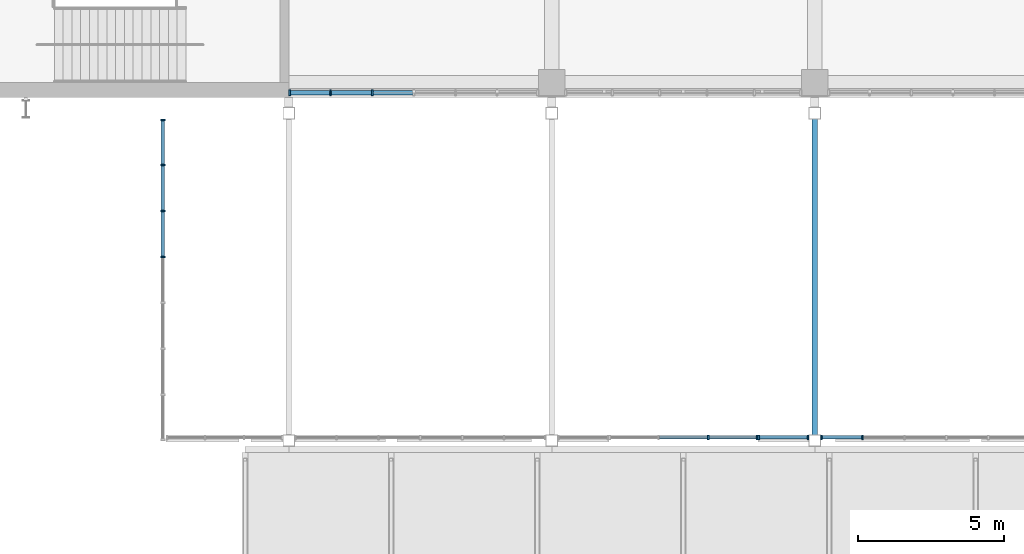
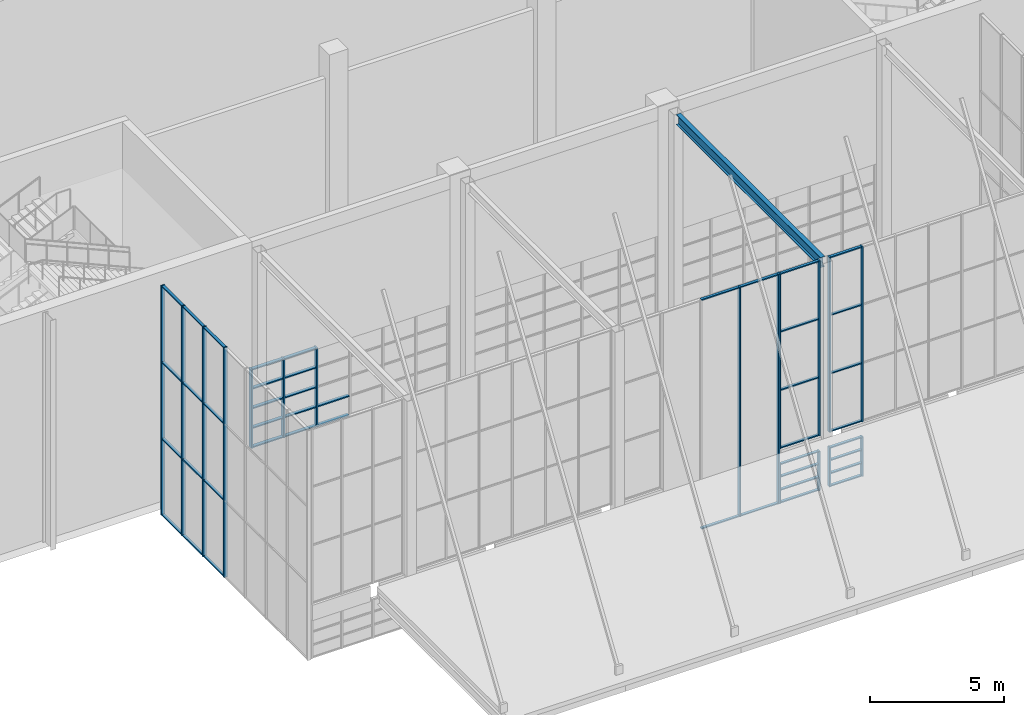
# One storey, part 19 of 182: 61 members, 1 beam, 7 elements without a shape of their own.
"""IFC4 building model written with IfcOpenShell, lengths in metres."""

from ifc_helpers import new_model, si_unit, direction, frame, origin, origin_2d, place, context, subcontext, project, spatial, rectangle, i_section, extrude, material, material_profile, profile_set, type_object, element, aggregate, save


model = new_model("IFC4")

# Units and contexts
model_context = context("Model", 3, precision=1e-05, world=origin(), true_north=direction((0.0, 1.0)))
body_context = subcontext(model_context, "Body", "Model", "MODEL_VIEW")
ifc_project = project(units=[si_unit("LENGTHUNIT", "METRE"), si_unit("AREAUNIT", "SQUARE_METRE"), si_unit("VOLUMEUNIT", "CUBIC_METRE"), si_unit("PLANEANGLEUNIT", "RADIAN"), si_unit("MASSUNIT", "GRAM", prefix="KILO")], contexts=[model_context])

# Site, building, storey
site_placement = place(None, origin())
site = spatial("IfcSite", under=ifc_project, at=site_placement, CompositionType="ELEMENT")
building_placement = place(site_placement, origin())
building = spatial("IfcBuilding", under=site, at=building_placement, Name="Silverbay Arena", CompositionType="ELEMENT")
storey_placement = place(building_placement, frame((0.0, 0.0, 11.5)))
storey = spatial("IfcBuildingStorey", under=building, at=storey_placement, Name="L02", CompositionType="ELEMENT", Elevation=11.5)

# Beam
ifc_material_1 = material(Name="Steel S355", Category="steel")
ifc_material_profile_1 = material_profile(ifc_material_1, i_section(OverallWidth=0.19287109375, OverallDepth=0.46728515625, WebThickness=0.011474609375, FlangeThickness=0.01953125, at=origin_2d()), Name="UB 457x191x98")
ifc_profile_set_1 = profile_set([ifc_material_profile_1], Name="Steel S355")
beam_type = type_object("IfcBeamType", Name="Hall beam UB 457x191x98", PredefinedType="BEAM", material=ifc_profile_set_1)
beam_placement = place(storey_placement, frame((135.0, 16.75, 10.266357421875), z_axis=(0.0, -1.0, 0.0), x_axis=(1.0, 0.0, 0.0)))
element("IfcBeam", 1, at=beam_placement, inside=storey, type_object=beam_type, Name="South entrance hall S1 transverse beam 3L22", PredefinedType="BEAM", context=body_context, shape_type="SweptSolid", body=[
    extrude(i_section(OverallWidth=0.19287109375, OverallDepth=0.46728515625, WebThickness=0.011474609375, FlangeThickness=0.01953125, at=origin_2d()), origin(), (0.0, 0.0, 1.0), 10.800048828125),
])

# Curtain wall, members
ifc_material_2 = material(Name="Aluminium framed curtain wall", Category="aluminium")
curtain_wall_type_1 = type_object("IfcCurtainWallType", Name="Curtain wall 1750 x 1800", PredefinedType="NOTDEFINED", material=ifc_material_2)
curtain_wall_1_placement = place(storey_placement, origin())
curtain_wall_1 = element("IfcCurtainWall", 2, at=curtain_wall_1_placement, inside=storey, type_object=curtain_wall_type_1, Name="South entrance hall S1 glazing F1b", PredefinedType="NOTDEFINED")
ifc_material_3 = material(Name="Aluminium", Category="aluminium")
ifc_material_profile_2 = material_profile(ifc_material_3, rectangle(XDim=0.159912109375, YDim=0.06005859375, at=origin_2d()), Name="Mullion 60 x 160")
ifc_profile_set_2 = profile_set([ifc_material_profile_2], Name="Aluminium")
member_type_1 = type_object("IfcMemberType", Name="Mullion 60 x 160", PredefinedType="MULLION", material=ifc_profile_set_2)
member_1_placement = place(storey_placement, frame((133.080078125, 5.860107421875, 0.0), z_axis=(0.0, 0.0, 1.0), x_axis=(0.0, 1.0, 0.0)))
member_1 = element("IfcMember", 3, at=member_1_placement, type_object=member_type_1, Name="CW29 mullion 1", PredefinedType="MULLION", context=body_context, shape_type="SweptSolid", body=[
    extrude(rectangle(XDim=0.159912109375, YDim=0.06005859375, at=origin_2d()), origin(), (0.0, 0.0, 1.0), 1.800048828125),
])
member_2_placement = place(storey_placement, frame((134.77001953125, 5.860107421875, 0.0), z_axis=(0.0, 0.0, 1.0), x_axis=(0.0, 1.0, 0.0)))
member_2 = element("IfcMember", 4, at=member_2_placement, type_object=member_type_1, Name="CW29 mullion 2", PredefinedType="MULLION", context=body_context, shape_type="SweptSolid", body=[
    extrude(rectangle(XDim=0.159912109375, YDim=0.06005859375, at=origin_2d()), origin(), (0.0, 0.0, 1.0), 1.800048828125),
])

ifc_material_4 = material(Name="Aluminium framed curtain wall", Category="aluminium")
curtain_wall_type_2 = type_object("IfcCurtainWallType", Name="Curtain wall 1750 x 8000", PredefinedType="NOTDEFINED", material=ifc_material_4)
curtain_wall_2_placement = place(storey_placement, origin())
curtain_wall_2 = element("IfcCurtainWall", 5, at=curtain_wall_2_placement, inside=storey, type_object=curtain_wall_type_2, Name="South entrance hall S1 glazing F1b", PredefinedType="NOTDEFINED")
member_3_placement = place(storey_placement, frame((133.080078125, 5.860107421875, 2.5), z_axis=(0.0, 0.0, 1.0), x_axis=(0.0, 1.0, 0.0)))
member_3 = element("IfcMember", 6, at=member_3_placement, type_object=member_type_1, Name="CW30 mullion 1", PredefinedType="MULLION", context=body_context, shape_type="SweptSolid", body=[
    extrude(rectangle(XDim=0.159912109375, YDim=0.06005859375, at=origin_2d()), origin(), (0.0, 0.0, 1.0), 8.0),
])
member_4_placement = place(storey_placement, frame((134.77001953125, 5.860107421875, 2.5), z_axis=(0.0, 0.0, 1.0), x_axis=(0.0, 1.0, 0.0)))
member_4 = element("IfcMember", 7, at=member_4_placement, type_object=member_type_1, Name="CW30 mullion 2", PredefinedType="MULLION", context=body_context, shape_type="SweptSolid", body=[
    extrude(rectangle(XDim=0.159912109375, YDim=0.06005859375, at=origin_2d()), origin(), (0.0, 0.0, 1.0), 8.0),
])

ifc_material_5 = material(Name="Aluminium framed curtain wall", Category="aluminium")
curtain_wall_type_3 = type_object("IfcCurtainWallType", Name="Curtain wall 8600 x 1800", PredefinedType="NOTDEFINED", material=ifc_material_5)
curtain_wall_3_placement = place(storey_placement, origin())
curtain_wall_3 = element("IfcCurtainWall", 8, at=curtain_wall_3_placement, inside=storey, type_object=curtain_wall_type_3, Name="South entrance hall S1 glazing F2", PredefinedType="NOTDEFINED")
member_5_placement = place(storey_placement, frame((135.22998046875, 5.860107421875, 0.0), z_axis=(0.0, 0.0, 1.0), x_axis=(0.0, 1.0, 0.0)))
member_5 = element("IfcMember", 9, at=member_5_placement, type_object=member_type_1, Name="CW25 mullion 1", PredefinedType="MULLION", context=body_context, shape_type="SweptSolid", body=[
    extrude(rectangle(XDim=0.159912109375, YDim=0.06005859375, at=origin_2d()), origin(), (0.0, 0.0, 1.0), 1.800048828125),
])
member_6_placement = place(storey_placement, frame((136.63330078125, 5.860107421875, 0.0), z_axis=(0.0, 0.0, 1.0), x_axis=(0.0, 1.0, 0.0)))
member_6 = element("IfcMember", 10, at=member_6_placement, type_object=member_type_1, Name="CW25 mullion 2", PredefinedType="MULLION", context=body_context, shape_type="SweptSolid", body=[
    extrude(rectangle(XDim=0.159912109375, YDim=0.06005859375, at=origin_2d()), origin(), (0.0, 0.0, 1.0), 1.800048828125),
])

ifc_material_6 = material(Name="Aluminium framed curtain wall", Category="aluminium")
curtain_wall_type_4 = type_object("IfcCurtainWallType", Name="Curtain wall 8600 x 8000", PredefinedType="NOTDEFINED", material=ifc_material_6)
curtain_wall_4_placement = place(storey_placement, origin())
curtain_wall_4 = element("IfcCurtainWall", 11, at=curtain_wall_4_placement, inside=storey, type_object=curtain_wall_type_4, Name="South entrance hall S1 glazing F2", PredefinedType="NOTDEFINED")
member_7_placement = place(storey_placement, frame((135.22998046875, 5.860107421875, 2.5), z_axis=(0.0, 0.0, 1.0), x_axis=(0.0, 1.0, 0.0)))
member_7 = element("IfcMember", 12, at=member_7_placement, type_object=member_type_1, Name="CW26 mullion 1", PredefinedType="MULLION", context=body_context, shape_type="SweptSolid", body=[
    extrude(rectangle(XDim=0.159912109375, YDim=0.06005859375, at=origin_2d()), origin(), (0.0, 0.0, 1.0), 8.0),
])
member_8_placement = place(storey_placement, frame((136.63330078125, 5.860107421875, 2.5), z_axis=(0.0, 0.0, 1.0), x_axis=(0.0, 1.0, 0.0)))
member_8 = element("IfcMember", 13, at=member_8_placement, type_object=member_type_1, Name="CW26 mullion 2", PredefinedType="MULLION", context=body_context, shape_type="SweptSolid", body=[
    extrude(rectangle(XDim=0.159912109375, YDim=0.06005859375, at=origin_2d()), origin(), (0.0, 0.0, 1.0), 8.0),
])

ifc_material_7 = material(Name="Aluminium framed curtain wall", Category="aluminium")
curtain_wall_type_5 = type_object("IfcCurtainWallType", Name="Curtain wall 11000 x 10500", PredefinedType="NOTDEFINED", material=ifc_material_7)
curtain_wall_5_placement = place(storey_placement, origin())
curtain_wall_5 = element("IfcCurtainWall", 14, at=curtain_wall_5_placement, inside=storey, type_object=curtain_wall_type_5, Name="South entrance hall S1 glazing SA", PredefinedType="NOTDEFINED")
member_9_placement = place(storey_placement, frame((112.68994140625, 12.03564453125, 0.0), z_axis=(0.0, 0.0, 1.0), x_axis=(-1.0, 0.0, 0.0)))
member_9 = element("IfcMember", 15, at=member_9_placement, type_object=member_type_1, Name="CW37 mullion 5", PredefinedType="MULLION", context=body_context, shape_type="SweptSolid", body=[
    extrude(rectangle(XDim=0.159912109375, YDim=0.06005859375, at=origin_2d()), origin(), (0.0, 0.0, 1.0), 10.5),
])
member_10_placement = place(storey_placement, frame((112.68994140625, 13.607177734375, 0.0), z_axis=(0.0, 0.0, 1.0), x_axis=(-1.0, 0.0, 0.0)))
member_10 = element("IfcMember", 16, at=member_10_placement, type_object=member_type_1, Name="CW37 mullion 6", PredefinedType="MULLION", context=body_context, shape_type="SweptSolid", body=[
    extrude(rectangle(XDim=0.159912109375, YDim=0.06005859375, at=origin_2d()), origin(), (0.0, 0.0, 1.0), 10.5),
])
member_11_placement = place(storey_placement, frame((112.68994140625, 15.178466796875, 0.0), z_axis=(0.0, 0.0, 1.0), x_axis=(-1.0, 0.0, 0.0)))
member_11 = element("IfcMember", 17, at=member_11_placement, type_object=member_type_1, Name="CW37 mullion 7", PredefinedType="MULLION", context=body_context, shape_type="SweptSolid", body=[
    extrude(rectangle(XDim=0.159912109375, YDim=0.06005859375, at=origin_2d()), origin(), (0.0, 0.0, 1.0), 10.5),
])
member_12_placement = place(storey_placement, frame((112.68994140625, 16.719970703125, 0.0), z_axis=(0.0, 0.0, 1.0), x_axis=(-1.0, 0.0, 0.0)))
member_12 = element("IfcMember", 18, at=member_12_placement, type_object=member_type_1, Name="CW37 mullion 8", PredefinedType="MULLION", context=body_context, shape_type="SweptSolid", body=[
    extrude(rectangle(XDim=0.159912109375, YDim=0.06005859375, at=origin_2d()), origin(), (0.0, 0.0, 1.0), 10.5),
])

ifc_material_8 = material(Name="Aluminium framed curtain wall", Category="aluminium")
curtain_wall_type_6 = type_object("IfcCurtainWallType", Name="Curtain wall 5100 x 10500", PredefinedType="NOTDEFINED", material=ifc_material_8)
curtain_wall_6_placement = place(storey_placement, origin())
curtain_wall_6 = element("IfcCurtainWall", 19, at=curtain_wall_6_placement, inside=storey, type_object=curtain_wall_type_6, Name="South entrance hall S1 glazing over the door", PredefinedType="NOTDEFINED")
member_13_placement = place(storey_placement, frame((131.35009765625, 5.860107421875, 0.0), z_axis=(0.0, 0.0, 1.0), x_axis=(0.0, 1.0, 0.0)))
member_13 = element("IfcMember", 20, at=member_13_placement, type_object=member_type_1, Name="CW40 mullion 3", PredefinedType="MULLION", context=body_context, shape_type="SweptSolid", body=[
    extrude(rectangle(XDim=0.159912109375, YDim=0.06005859375, at=origin_2d()), origin(), (0.0, 0.0, 1.0), 10.5),
])
member_14_placement = place(storey_placement, frame((133.02001953125, 5.860107421875, 0.0), z_axis=(0.0, 0.0, 1.0), x_axis=(0.0, 1.0, 0.0)))
member_14 = element("IfcMember", 21, at=member_14_placement, type_object=member_type_1, Name="CW40 mullion 4", PredefinedType="MULLION", context=body_context, shape_type="SweptSolid", body=[
    extrude(rectangle(XDim=0.159912109375, YDim=0.06005859375, at=origin_2d()), origin(), (0.0, 0.0, 1.0), 10.5),
])

ifc_material_9 = material(Name="Aluminium framed curtain wall", Category="aluminium")
curtain_wall_type_7 = type_object("IfcCurtainWallType", Name="Curtain wall 8550 x 3600", PredefinedType="NOTDEFINED", material=ifc_material_9)
curtain_wall_7_placement = place(storey_placement, origin())
curtain_wall_7 = element("IfcCurtainWall", 22, at=curtain_wall_7_placement, inside=storey, type_object=curtain_wall_type_7, Name="South curtain wall L02 bay 8", PredefinedType="NOTDEFINED")
ifc_material_10 = material(Name="Aluminium", Category="aluminium")
ifc_material_profile_3 = material_profile(ifc_material_10, rectangle(XDim=0.199951171875, YDim=0.06005859375, at=origin_2d()), Name="Mullion 60 x 200")
ifc_profile_set_3 = profile_set([ifc_material_profile_3], Name="Aluminium")
member_type_2 = type_object("IfcMemberType", Name="Mullion 60 x 200", PredefinedType="MULLION", material=ifc_profile_set_3)
member_15_placement = place(storey_placement, frame((117.030029296875, 17.64990234375, 1.0), z_axis=(0.0, 0.0, 1.0), x_axis=(0.0, 1.0, 0.0)))
member_15 = element("IfcMember", 23, at=member_15_placement, type_object=member_type_2, Name="CW10 mullion 1", PredefinedType="MULLION", context=body_context, shape_type="SweptSolid", body=[
    extrude(rectangle(XDim=0.199951171875, YDim=0.06005859375, at=origin_2d()), origin(), (0.0, 0.0, 1.0), 3.60009765625),
])
member_16_placement = place(storey_placement, frame((118.425048828125, 17.64990234375, 1.0), z_axis=(0.0, 0.0, 1.0), x_axis=(0.0, 1.0, 0.0)))
member_16 = element("IfcMember", 24, at=member_16_placement, type_object=member_type_2, Name="CW10 mullion 2", PredefinedType="MULLION", context=body_context, shape_type="SweptSolid", body=[
    extrude(rectangle(XDim=0.199951171875, YDim=0.06005859375, at=origin_2d()), origin(), (0.0, 0.0, 1.0), 3.60009765625),
])
member_17_placement = place(storey_placement, frame((119.85009765625, 17.64990234375, 1.0), z_axis=(0.0, 0.0, 1.0), x_axis=(0.0, 1.0, 0.0)))
member_17 = element("IfcMember", 25, at=member_17_placement, type_object=member_type_2, Name="CW10 mullion 3", PredefinedType="MULLION", context=body_context, shape_type="SweptSolid", body=[
    extrude(rectangle(XDim=0.199951171875, YDim=0.06005859375, at=origin_2d()), origin(), (0.0, 0.0, 1.0), 3.60009765625),
])

# Member
ifc_material_11 = material(Name="Aluminium", Category="aluminium")
ifc_material_profile_4 = material_profile(ifc_material_11, rectangle(XDim=0.1201171875, YDim=0.050048828125, at=origin_2d()), Name="Transom 50 x 120")
ifc_profile_set_4 = profile_set([ifc_material_profile_4], Name="Aluminium")
member_type_3 = type_object("IfcMemberType", Name="Transom 50 x 120", PredefinedType="USERDEFINED", material=ifc_profile_set_4)
member_18_placement = place(storey_placement, frame((133.110107421875, 5.860107421875, 0.02490234375), z_axis=(1.0, 0.0, 0.0), x_axis=(0.0, 1.0, 0.0)))
member_18 = element("IfcMember", 26, at=member_18_placement, type_object=member_type_3, Name="CW29 transom 1.1", ObjectType="TRANSOM", PredefinedType="USERDEFINED", context=body_context, shape_type="SweptSolid", body=[
    extrude(rectangle(XDim=0.1201171875, YDim=0.050048828125, at=origin_2d()), origin(), (0.0, 0.0, 1.0), 1.6298828125),
])

member_19_placement = place(storey_placement, frame((133.110107421875, 5.860107421875, 0.60009765625), z_axis=(1.0, 0.0, 0.0), x_axis=(0.0, 1.0, 0.0)))
member_19 = element("IfcMember", 27, at=member_19_placement, type_object=member_type_3, Name="CW29 transom 1.2", ObjectType="TRANSOM", PredefinedType="USERDEFINED", context=body_context, shape_type="SweptSolid", body=[
    extrude(rectangle(XDim=0.1201171875, YDim=0.050048828125, at=origin_2d()), origin(), (0.0, 0.0, 1.0), 1.6298828125),
])

member_20_placement = place(storey_placement, frame((133.110107421875, 5.860107421875, 1.199951171875), z_axis=(1.0, 0.0, 0.0), x_axis=(0.0, 1.0, 0.0)))
member_20 = element("IfcMember", 28, at=member_20_placement, type_object=member_type_3, Name="CW29 transom 1.3", ObjectType="TRANSOM", PredefinedType="USERDEFINED", context=body_context, shape_type="SweptSolid", body=[
    extrude(rectangle(XDim=0.1201171875, YDim=0.050048828125, at=origin_2d()), origin(), (0.0, 0.0, 1.0), 1.6298828125),
])

member_21_placement = place(storey_placement, frame((133.110107421875, 5.860107421875, 1.77490234375), z_axis=(1.0, 0.0, 0.0), x_axis=(0.0, 1.0, 0.0)))
member_21 = element("IfcMember", 29, at=member_21_placement, type_object=member_type_3, Name="CW29 transom 1.4", ObjectType="TRANSOM", PredefinedType="USERDEFINED", context=body_context, shape_type="SweptSolid", body=[
    extrude(rectangle(XDim=0.1201171875, YDim=0.050048828125, at=origin_2d()), origin(), (0.0, 0.0, 1.0), 1.6298828125),
])

aggregate(curtain_wall_1, [member_1, member_2, member_18, member_19, member_20, member_21])

member_22_placement = place(storey_placement, frame((133.110107421875, 5.860107421875, 2.52490234375), z_axis=(1.0, 0.0, 0.0), x_axis=(0.0, 1.0, 0.0)))
member_22 = element("IfcMember", 30, at=member_22_placement, type_object=member_type_3, Name="CW30 transom 1.1", ObjectType="TRANSOM", PredefinedType="USERDEFINED", context=body_context, shape_type="SweptSolid", body=[
    extrude(rectangle(XDim=0.1201171875, YDim=0.050048828125, at=origin_2d()), origin(), (0.0, 0.0, 1.0), 1.6298828125),
])

member_23_placement = place(storey_placement, frame((133.110107421875, 5.860107421875, 5.166748046875), z_axis=(1.0, 0.0, 0.0), x_axis=(0.0, 1.0, 0.0)))
member_23 = element("IfcMember", 31, at=member_23_placement, type_object=member_type_3, Name="CW30 transom 1.2", ObjectType="TRANSOM", PredefinedType="USERDEFINED", context=body_context, shape_type="SweptSolid", body=[
    extrude(rectangle(XDim=0.1201171875, YDim=0.050048828125, at=origin_2d()), origin(), (0.0, 0.0, 1.0), 1.6298828125),
])

member_24_placement = place(storey_placement, frame((133.110107421875, 5.860107421875, 7.833251953125), z_axis=(1.0, 0.0, 0.0), x_axis=(0.0, 1.0, 0.0)))
member_24 = element("IfcMember", 32, at=member_24_placement, type_object=member_type_3, Name="CW30 transom 1.3", ObjectType="TRANSOM", PredefinedType="USERDEFINED", context=body_context, shape_type="SweptSolid", body=[
    extrude(rectangle(XDim=0.1201171875, YDim=0.050048828125, at=origin_2d()), origin(), (0.0, 0.0, 1.0), 1.6298828125),
])

member_25_placement = place(storey_placement, frame((133.110107421875, 5.860107421875, 10.47509765625), z_axis=(1.0, 0.0, 0.0), x_axis=(0.0, 1.0, 0.0)))
member_25 = element("IfcMember", 33, at=member_25_placement, type_object=member_type_3, Name="CW30 transom 1.4", ObjectType="TRANSOM", PredefinedType="USERDEFINED", context=body_context, shape_type="SweptSolid", body=[
    extrude(rectangle(XDim=0.1201171875, YDim=0.050048828125, at=origin_2d()), origin(), (0.0, 0.0, 1.0), 1.6298828125),
])

aggregate(curtain_wall_2, [member_3, member_4, member_22, member_23, member_24, member_25])

member_26_placement = place(storey_placement, frame((135.260009765625, 5.860107421875, 0.02490234375), z_axis=(1.0, 0.0, 0.0), x_axis=(0.0, 1.0, 0.0)))
member_26 = element("IfcMember", 34, at=member_26_placement, type_object=member_type_3, Name="CW25 transom 1.1", ObjectType="TRANSOM", PredefinedType="USERDEFINED", context=body_context, shape_type="SweptSolid", body=[
    extrude(rectangle(XDim=0.1201171875, YDim=0.050048828125, at=origin_2d()), origin(), (0.0, 0.0, 1.0), 1.34326171875),
])

member_27_placement = place(storey_placement, frame((135.260009765625, 5.860107421875, 0.60009765625), z_axis=(1.0, 0.0, 0.0), x_axis=(0.0, 1.0, 0.0)))
member_27 = element("IfcMember", 35, at=member_27_placement, type_object=member_type_3, Name="CW25 transom 1.2", ObjectType="TRANSOM", PredefinedType="USERDEFINED", context=body_context, shape_type="SweptSolid", body=[
    extrude(rectangle(XDim=0.1201171875, YDim=0.050048828125, at=origin_2d()), origin(), (0.0, 0.0, 1.0), 1.34326171875),
])

member_28_placement = place(storey_placement, frame((135.260009765625, 5.860107421875, 1.199951171875), z_axis=(1.0, 0.0, 0.0), x_axis=(0.0, 1.0, 0.0)))
member_28 = element("IfcMember", 36, at=member_28_placement, type_object=member_type_3, Name="CW25 transom 1.3", ObjectType="TRANSOM", PredefinedType="USERDEFINED", context=body_context, shape_type="SweptSolid", body=[
    extrude(rectangle(XDim=0.1201171875, YDim=0.050048828125, at=origin_2d()), origin(), (0.0, 0.0, 1.0), 1.34326171875),
])

member_29_placement = place(storey_placement, frame((135.260009765625, 5.860107421875, 1.77490234375), z_axis=(1.0, 0.0, 0.0), x_axis=(0.0, 1.0, 0.0)))
member_29 = element("IfcMember", 37, at=member_29_placement, type_object=member_type_3, Name="CW25 transom 1.4", ObjectType="TRANSOM", PredefinedType="USERDEFINED", context=body_context, shape_type="SweptSolid", body=[
    extrude(rectangle(XDim=0.1201171875, YDim=0.050048828125, at=origin_2d()), origin(), (0.0, 0.0, 1.0), 1.34326171875),
])

aggregate(curtain_wall_3, [member_5, member_6, member_26, member_27, member_28, member_29])

member_30_placement = place(storey_placement, frame((135.260009765625, 5.860107421875, 2.52490234375), z_axis=(1.0, 0.0, 0.0), x_axis=(0.0, 1.0, 0.0)))
member_30 = element("IfcMember", 38, at=member_30_placement, type_object=member_type_3, Name="CW26 transom 1.1", ObjectType="TRANSOM", PredefinedType="USERDEFINED", context=body_context, shape_type="SweptSolid", body=[
    extrude(rectangle(XDim=0.1201171875, YDim=0.050048828125, at=origin_2d()), origin(), (0.0, 0.0, 1.0), 1.34326171875),
])

member_31_placement = place(storey_placement, frame((135.260009765625, 5.860107421875, 5.166748046875), z_axis=(1.0, 0.0, 0.0), x_axis=(0.0, 1.0, 0.0)))
member_31 = element("IfcMember", 39, at=member_31_placement, type_object=member_type_3, Name="CW26 transom 1.2", ObjectType="TRANSOM", PredefinedType="USERDEFINED", context=body_context, shape_type="SweptSolid", body=[
    extrude(rectangle(XDim=0.1201171875, YDim=0.050048828125, at=origin_2d()), origin(), (0.0, 0.0, 1.0), 1.34326171875),
])

member_32_placement = place(storey_placement, frame((135.260009765625, 5.860107421875, 7.833251953125), z_axis=(1.0, 0.0, 0.0), x_axis=(0.0, 1.0, 0.0)))
member_32 = element("IfcMember", 40, at=member_32_placement, type_object=member_type_3, Name="CW26 transom 1.3", ObjectType="TRANSOM", PredefinedType="USERDEFINED", context=body_context, shape_type="SweptSolid", body=[
    extrude(rectangle(XDim=0.1201171875, YDim=0.050048828125, at=origin_2d()), origin(), (0.0, 0.0, 1.0), 1.34326171875),
])

member_33_placement = place(storey_placement, frame((135.260009765625, 5.860107421875, 10.47509765625), z_axis=(1.0, 0.0, 0.0), x_axis=(0.0, 1.0, 0.0)))
member_33 = element("IfcMember", 41, at=member_33_placement, type_object=member_type_3, Name="CW26 transom 1.4", ObjectType="TRANSOM", PredefinedType="USERDEFINED", context=body_context, shape_type="SweptSolid", body=[
    extrude(rectangle(XDim=0.1201171875, YDim=0.050048828125, at=origin_2d()), origin(), (0.0, 0.0, 1.0), 1.34326171875),
])

aggregate(curtain_wall_4, [member_7, member_8, member_30, member_31, member_32, member_33])

member_34_placement = place(storey_placement, frame((112.68994140625, 12.065673828125, 0.02490234375), z_axis=(0.0, 1.0, 0.0), x_axis=(-1.0, 0.0, 0.0)))
member_34 = element("IfcMember", 42, at=member_34_placement, type_object=member_type_3, Name="CW37 transom 5.1", ObjectType="TRANSOM", PredefinedType="USERDEFINED", context=body_context, shape_type="SweptSolid", body=[
    extrude(rectangle(XDim=0.1201171875, YDim=0.050048828125, at=origin_2d()), origin(), (0.0, 0.0, 1.0), 1.511474609375),
])

member_35_placement = place(storey_placement, frame((112.68994140625, 12.065673828125, 3.5), z_axis=(0.0, 1.0, 0.0), x_axis=(-1.0, 0.0, 0.0)))
member_35 = element("IfcMember", 43, at=member_35_placement, type_object=member_type_3, Name="CW37 transom 5.2", ObjectType="TRANSOM", PredefinedType="USERDEFINED", context=body_context, shape_type="SweptSolid", body=[
    extrude(rectangle(XDim=0.1201171875, YDim=0.050048828125, at=origin_2d()), origin(), (0.0, 0.0, 1.0), 1.511474609375),
])

member_36_placement = place(storey_placement, frame((112.68994140625, 12.065673828125, 7.0), z_axis=(0.0, 1.0, 0.0), x_axis=(-1.0, 0.0, 0.0)))
member_36 = element("IfcMember", 44, at=member_36_placement, type_object=member_type_3, Name="CW37 transom 5.3", ObjectType="TRANSOM", PredefinedType="USERDEFINED", context=body_context, shape_type="SweptSolid", body=[
    extrude(rectangle(XDim=0.1201171875, YDim=0.050048828125, at=origin_2d()), origin(), (0.0, 0.0, 1.0), 1.511474609375),
])

member_37_placement = place(storey_placement, frame((112.68994140625, 12.065673828125, 10.47509765625), z_axis=(0.0, 1.0, 0.0), x_axis=(-1.0, 0.0, 0.0)))
member_37 = element("IfcMember", 45, at=member_37_placement, type_object=member_type_3, Name="CW37 transom 5.4", ObjectType="TRANSOM", PredefinedType="USERDEFINED", context=body_context, shape_type="SweptSolid", body=[
    extrude(rectangle(XDim=0.1201171875, YDim=0.050048828125, at=origin_2d()), origin(), (0.0, 0.0, 1.0), 1.511474609375),
])

member_38_placement = place(storey_placement, frame((112.68994140625, 13.63720703125, 0.02490234375), z_axis=(0.0, 1.0, 0.0), x_axis=(-1.0, 0.0, 0.0)))
member_38 = element("IfcMember", 46, at=member_38_placement, type_object=member_type_3, Name="CW37 transom 6.1", ObjectType="TRANSOM", PredefinedType="USERDEFINED", context=body_context, shape_type="SweptSolid", body=[
    extrude(rectangle(XDim=0.1201171875, YDim=0.050048828125, at=origin_2d()), origin(), (0.0, 0.0, 1.0), 1.511474609375),
])

member_39_placement = place(storey_placement, frame((112.68994140625, 13.63720703125, 3.5), z_axis=(0.0, 1.0, 0.0), x_axis=(-1.0, 0.0, 0.0)))
member_39 = element("IfcMember", 47, at=member_39_placement, type_object=member_type_3, Name="CW37 transom 6.2", ObjectType="TRANSOM", PredefinedType="USERDEFINED", context=body_context, shape_type="SweptSolid", body=[
    extrude(rectangle(XDim=0.1201171875, YDim=0.050048828125, at=origin_2d()), origin(), (0.0, 0.0, 1.0), 1.511474609375),
])

member_40_placement = place(storey_placement, frame((112.68994140625, 13.63720703125, 7.0), z_axis=(0.0, 1.0, 0.0), x_axis=(-1.0, 0.0, 0.0)))
member_40 = element("IfcMember", 48, at=member_40_placement, type_object=member_type_3, Name="CW37 transom 6.3", ObjectType="TRANSOM", PredefinedType="USERDEFINED", context=body_context, shape_type="SweptSolid", body=[
    extrude(rectangle(XDim=0.1201171875, YDim=0.050048828125, at=origin_2d()), origin(), (0.0, 0.0, 1.0), 1.511474609375),
])

member_41_placement = place(storey_placement, frame((112.68994140625, 13.63720703125, 10.47509765625), z_axis=(0.0, 1.0, 0.0), x_axis=(-1.0, 0.0, 0.0)))
member_41 = element("IfcMember", 49, at=member_41_placement, type_object=member_type_3, Name="CW37 transom 6.4", ObjectType="TRANSOM", PredefinedType="USERDEFINED", context=body_context, shape_type="SweptSolid", body=[
    extrude(rectangle(XDim=0.1201171875, YDim=0.050048828125, at=origin_2d()), origin(), (0.0, 0.0, 1.0), 1.511474609375),
])

member_42_placement = place(storey_placement, frame((112.68994140625, 15.20849609375, 0.02490234375), z_axis=(0.0, 1.0, 0.0), x_axis=(-1.0, 0.0, 0.0)))
member_42 = element("IfcMember", 50, at=member_42_placement, type_object=member_type_3, Name="CW37 transom 7.1", ObjectType="TRANSOM", PredefinedType="USERDEFINED", context=body_context, shape_type="SweptSolid", body=[
    extrude(rectangle(XDim=0.1201171875, YDim=0.050048828125, at=origin_2d()), origin(), (0.0, 0.0, 1.0), 1.4814453125),
])

member_43_placement = place(storey_placement, frame((112.68994140625, 15.20849609375, 3.5), z_axis=(0.0, 1.0, 0.0), x_axis=(-1.0, 0.0, 0.0)))
member_43 = element("IfcMember", 51, at=member_43_placement, type_object=member_type_3, Name="CW37 transom 7.2", ObjectType="TRANSOM", PredefinedType="USERDEFINED", context=body_context, shape_type="SweptSolid", body=[
    extrude(rectangle(XDim=0.1201171875, YDim=0.050048828125, at=origin_2d()), origin(), (0.0, 0.0, 1.0), 1.4814453125),
])

member_44_placement = place(storey_placement, frame((112.68994140625, 15.20849609375, 7.0), z_axis=(0.0, 1.0, 0.0), x_axis=(-1.0, 0.0, 0.0)))
member_44 = element("IfcMember", 52, at=member_44_placement, type_object=member_type_3, Name="CW37 transom 7.3", ObjectType="TRANSOM", PredefinedType="USERDEFINED", context=body_context, shape_type="SweptSolid", body=[
    extrude(rectangle(XDim=0.1201171875, YDim=0.050048828125, at=origin_2d()), origin(), (0.0, 0.0, 1.0), 1.4814453125),
])

member_45_placement = place(storey_placement, frame((112.68994140625, 15.20849609375, 10.47509765625), z_axis=(0.0, 1.0, 0.0), x_axis=(-1.0, 0.0, 0.0)))
member_45 = element("IfcMember", 53, at=member_45_placement, type_object=member_type_3, Name="CW37 transom 7.4", ObjectType="TRANSOM", PredefinedType="USERDEFINED", context=body_context, shape_type="SweptSolid", body=[
    extrude(rectangle(XDim=0.1201171875, YDim=0.050048828125, at=origin_2d()), origin(), (0.0, 0.0, 1.0), 1.4814453125),
])

aggregate(curtain_wall_5, [member_9, member_10, member_11, member_12, member_34, member_35, member_36, member_37, member_38, member_39, member_40, member_41, member_42, member_43, member_44, member_45])

member_46_placement = place(storey_placement, frame((129.679931640625, 5.860107421875, 0.02490234375), z_axis=(1.0, 0.0, 0.0), x_axis=(0.0, 1.0, 0.0)))
member_46 = element("IfcMember", 54, at=member_46_placement, type_object=member_type_3, Name="CW40 transom 2.1", ObjectType="TRANSOM", PredefinedType="USERDEFINED", context=body_context, shape_type="SweptSolid", body=[
    extrude(rectangle(XDim=0.1201171875, YDim=0.050048828125, at=origin_2d()), origin(), (0.0, 0.0, 1.0), 1.64013671875),
])

member_47_placement = place(storey_placement, frame((129.679931640625, 5.860107421875, 10.47509765625), z_axis=(1.0, 0.0, 0.0), x_axis=(0.0, 1.0, 0.0)))
member_47 = element("IfcMember", 55, at=member_47_placement, type_object=member_type_3, Name="CW40 transom 2.2", ObjectType="TRANSOM", PredefinedType="USERDEFINED", context=body_context, shape_type="SweptSolid", body=[
    extrude(rectangle(XDim=0.1201171875, YDim=0.050048828125, at=origin_2d()), origin(), (0.0, 0.0, 1.0), 1.64013671875),
])

member_48_placement = place(storey_placement, frame((131.3798828125, 5.860107421875, 0.02490234375), z_axis=(1.0, 0.0, 0.0), x_axis=(0.0, 1.0, 0.0)))
member_48 = element("IfcMember", 56, at=member_48_placement, type_object=member_type_3, Name="CW40 transom 3.1", ObjectType="TRANSOM", PredefinedType="USERDEFINED", context=body_context, shape_type="SweptSolid", body=[
    extrude(rectangle(XDim=0.1201171875, YDim=0.050048828125, at=origin_2d()), origin(), (0.0, 0.0, 1.0), 1.610107421875),
])

member_49_placement = place(storey_placement, frame((131.3798828125, 5.860107421875, 10.47509765625), z_axis=(1.0, 0.0, 0.0), x_axis=(0.0, 1.0, 0.0)))
member_49 = element("IfcMember", 57, at=member_49_placement, type_object=member_type_3, Name="CW40 transom 3.2", ObjectType="TRANSOM", PredefinedType="USERDEFINED", context=body_context, shape_type="SweptSolid", body=[
    extrude(rectangle(XDim=0.1201171875, YDim=0.050048828125, at=origin_2d()), origin(), (0.0, 0.0, 1.0), 1.610107421875),
])

aggregate(curtain_wall_6, [member_13, member_14, member_46, member_47, member_48, member_49])

ifc_material_12 = material(Name="Aluminium", Category="aluminium")
ifc_material_profile_5 = material_profile(ifc_material_12, rectangle(XDim=0.14990234375, YDim=0.050048828125, at=origin_2d()), Name="Transom 50 x 150")
ifc_profile_set_5 = profile_set([ifc_material_profile_5], Name="Aluminium")
member_type_4 = type_object("IfcMemberType", Name="Transom 50 x 150", PredefinedType="USERDEFINED", material=ifc_profile_set_5)
member_50_placement = place(storey_placement, frame((117.06005859375, 17.64990234375, 1.02490234375), z_axis=(1.0, 0.0, 0.0), x_axis=(0.0, 1.0, 0.0)))
member_50 = element("IfcMember", 58, at=member_50_placement, type_object=member_type_4, Name="CW10 transom 1.1", ObjectType="TRANSOM", PredefinedType="USERDEFINED", context=body_context, shape_type="SweptSolid", body=[
    extrude(rectangle(XDim=0.14990234375, YDim=0.050048828125, at=origin_2d()), origin(), (0.0, 0.0, 1.0), 1.3349609375),
])

member_51_placement = place(storey_placement, frame((117.06005859375, 17.64990234375, 1.89990234375), z_axis=(1.0, 0.0, 0.0), x_axis=(0.0, 1.0, 0.0)))
member_51 = element("IfcMember", 59, at=member_51_placement, type_object=member_type_4, Name="CW10 transom 1.2", ObjectType="TRANSOM", PredefinedType="USERDEFINED", context=body_context, shape_type="SweptSolid", body=[
    extrude(rectangle(XDim=0.14990234375, YDim=0.050048828125, at=origin_2d()), origin(), (0.0, 0.0, 1.0), 1.3349609375),
])

member_52_placement = place(storey_placement, frame((117.06005859375, 17.64990234375, 2.800048828125), z_axis=(1.0, 0.0, 0.0), x_axis=(0.0, 1.0, 0.0)))
member_52 = element("IfcMember", 60, at=member_52_placement, type_object=member_type_4, Name="CW10 transom 1.3", ObjectType="TRANSOM", PredefinedType="USERDEFINED", context=body_context, shape_type="SweptSolid", body=[
    extrude(rectangle(XDim=0.14990234375, YDim=0.050048828125, at=origin_2d()), origin(), (0.0, 0.0, 1.0), 1.3349609375),
])

member_53_placement = place(storey_placement, frame((117.06005859375, 17.64990234375, 3.699951171875), z_axis=(1.0, 0.0, 0.0), x_axis=(0.0, 1.0, 0.0)))
member_53 = element("IfcMember", 61, at=member_53_placement, type_object=member_type_4, Name="CW10 transom 1.4", ObjectType="TRANSOM", PredefinedType="USERDEFINED", context=body_context, shape_type="SweptSolid", body=[
    extrude(rectangle(XDim=0.14990234375, YDim=0.050048828125, at=origin_2d()), origin(), (0.0, 0.0, 1.0), 1.3349609375),
])

member_54_placement = place(storey_placement, frame((117.06005859375, 17.64990234375, 4.574951171875), z_axis=(1.0, 0.0, 0.0), x_axis=(0.0, 1.0, 0.0)))
member_54 = element("IfcMember", 62, at=member_54_placement, type_object=member_type_4, Name="CW10 transom 1.5", ObjectType="TRANSOM", PredefinedType="USERDEFINED", context=body_context, shape_type="SweptSolid", body=[
    extrude(rectangle(XDim=0.14990234375, YDim=0.050048828125, at=origin_2d()), origin(), (0.0, 0.0, 1.0), 1.3349609375),
])

member_55_placement = place(storey_placement, frame((118.455078125, 17.64990234375, 1.02490234375), z_axis=(1.0, 0.0, 0.0), x_axis=(0.0, 1.0, 0.0)))
member_55 = element("IfcMember", 63, at=member_55_placement, type_object=member_type_4, Name="CW10 transom 2.1", ObjectType="TRANSOM", PredefinedType="USERDEFINED", context=body_context, shape_type="SweptSolid", body=[
    extrude(rectangle(XDim=0.14990234375, YDim=0.050048828125, at=origin_2d()), origin(), (0.0, 0.0, 1.0), 1.364990234375),
])

member_56_placement = place(storey_placement, frame((118.455078125, 17.64990234375, 1.89990234375), z_axis=(1.0, 0.0, 0.0), x_axis=(0.0, 1.0, 0.0)))
member_56 = element("IfcMember", 64, at=member_56_placement, type_object=member_type_4, Name="CW10 transom 2.2", ObjectType="TRANSOM", PredefinedType="USERDEFINED", context=body_context, shape_type="SweptSolid", body=[
    extrude(rectangle(XDim=0.14990234375, YDim=0.050048828125, at=origin_2d()), origin(), (0.0, 0.0, 1.0), 1.364990234375),
])

member_57_placement = place(storey_placement, frame((118.455078125, 17.64990234375, 2.800048828125), z_axis=(1.0, 0.0, 0.0), x_axis=(0.0, 1.0, 0.0)))
member_57 = element("IfcMember", 65, at=member_57_placement, type_object=member_type_4, Name="CW10 transom 2.3", ObjectType="TRANSOM", PredefinedType="USERDEFINED", context=body_context, shape_type="SweptSolid", body=[
    extrude(rectangle(XDim=0.14990234375, YDim=0.050048828125, at=origin_2d()), origin(), (0.0, 0.0, 1.0), 1.364990234375),
])

member_58_placement = place(storey_placement, frame((118.455078125, 17.64990234375, 3.699951171875), z_axis=(1.0, 0.0, 0.0), x_axis=(0.0, 1.0, 0.0)))
member_58 = element("IfcMember", 66, at=member_58_placement, type_object=member_type_4, Name="CW10 transom 2.4", ObjectType="TRANSOM", PredefinedType="USERDEFINED", context=body_context, shape_type="SweptSolid", body=[
    extrude(rectangle(XDim=0.14990234375, YDim=0.050048828125, at=origin_2d()), origin(), (0.0, 0.0, 1.0), 1.364990234375),
])

member_59_placement = place(storey_placement, frame((118.455078125, 17.64990234375, 4.574951171875), z_axis=(1.0, 0.0, 0.0), x_axis=(0.0, 1.0, 0.0)))
member_59 = element("IfcMember", 67, at=member_59_placement, type_object=member_type_4, Name="CW10 transom 2.5", ObjectType="TRANSOM", PredefinedType="USERDEFINED", context=body_context, shape_type="SweptSolid", body=[
    extrude(rectangle(XDim=0.14990234375, YDim=0.050048828125, at=origin_2d()), origin(), (0.0, 0.0, 1.0), 1.364990234375),
])

member_60_placement = place(storey_placement, frame((119.8798828125, 17.64990234375, 1.02490234375), z_axis=(1.0, 0.0, 0.0), x_axis=(0.0, 1.0, 0.0)))
member_60 = element("IfcMember", 68, at=member_60_placement, type_object=member_type_4, Name="CW10 transom 3.1", ObjectType="TRANSOM", PredefinedType="USERDEFINED", context=body_context, shape_type="SweptSolid", body=[
    extrude(rectangle(XDim=0.14990234375, YDim=0.050048828125, at=origin_2d()), origin(), (0.0, 0.0, 1.0), 1.365234375),
])

member_61_placement = place(storey_placement, frame((119.8798828125, 17.64990234375, 1.89990234375), z_axis=(1.0, 0.0, 0.0), x_axis=(0.0, 1.0, 0.0)))
member_61 = element("IfcMember", 69, at=member_61_placement, type_object=member_type_4, Name="CW10 transom 3.2", ObjectType="TRANSOM", PredefinedType="USERDEFINED", context=body_context, shape_type="SweptSolid", body=[
    extrude(rectangle(XDim=0.14990234375, YDim=0.050048828125, at=origin_2d()), origin(), (0.0, 0.0, 1.0), 1.365234375),
])

aggregate(curtain_wall_7, [member_15, member_16, member_17, member_50, member_51, member_52, member_53, member_54, member_55, member_56, member_57, member_58, member_59, member_60, member_61])

save(model, "model.ifc")
